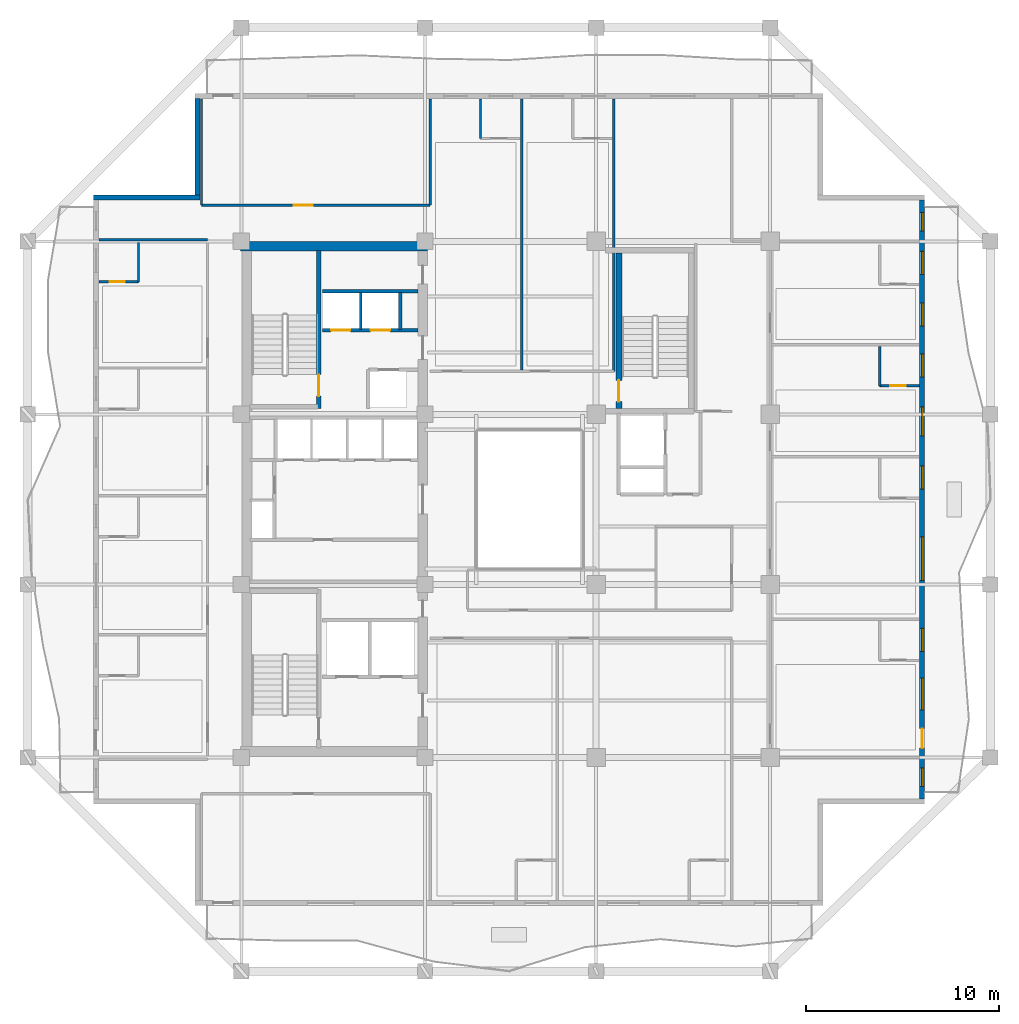
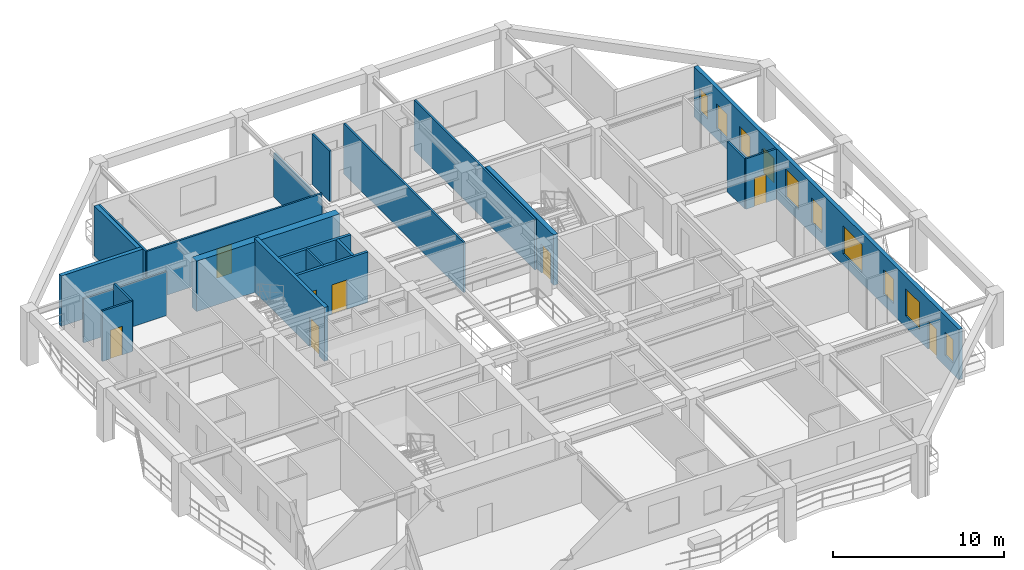
# One storey, part 6 of 13: 21 walls, 10 windows, 8 doors, 18 openings.
"""IFC4 building model written with IfcOpenShell, lengths in metres."""

from ifc_helpers import new_model, si_unit, direction, frame, frame_2d, origin, place, context, subcontext, project, spatial, rectangle, extrude, material, layer, layer_set, type_object, element, fill, save


model = new_model("IFC4")

# Units and contexts
model_context = context("Model", 3, precision=1e-05, world=origin(), true_north=direction((0.0, 1.0)))
body_context = subcontext(model_context, "Body", "Model", "MODEL_VIEW")
ifc_project = project(units=[si_unit("LENGTHUNIT", "METRE"), si_unit("AREAUNIT", "SQUARE_METRE"), si_unit("VOLUMEUNIT", "CUBIC_METRE"), si_unit("PLANEANGLEUNIT", "RADIAN"), si_unit("MASSUNIT", "GRAM", prefix="KILO")], contexts=[model_context])

# Site, building, storey
site_placement = place(None, origin())
site = spatial("IfcSite", under=ifc_project, at=site_placement, CompositionType="ELEMENT")
building_placement = place(site_placement, origin())
building = spatial("IfcBuilding", under=site, at=building_placement, Name="Kundavana Baori Tower", CompositionType="ELEMENT")
storey_placement = place(building_placement, frame((0.0, 0.0, 161.75)))
storey = spatial("IfcBuildingStorey", under=building, at=storey_placement, Name="L39", CompositionType="ELEMENT", Elevation=161.75)

# Wall, opening, door
ifc_material_1 = material(Name="Concrete C50/60", Category="concrete")
ifc_layer_1 = layer(ifc_material_1, 0.39990234375, Name="WL-CORE-400")
ifc_layer_set_1 = layer_set([ifc_layer_1], Name="Concrete C50/60")
wall_type_1 = type_object("IfcWallType", Name="WL-CORE-400", PredefinedType="SHEAR", material=ifc_layer_set_1)
wall_1_placement = place(storey_placement, frame((19.4599609375, 33.300048828125, 0.0), z_axis=(0.0, 0.0, 1.0), x_axis=(0.0, 1.0, 0.0)))
wall_1 = element("IfcWall", 1, at=wall_1_placement, inside=storey, type_object=wall_type_1, Name="WL-L39-ST2-E", PredefinedType="SHEAR", context=body_context, shape_type="SweptSolid", body=[
    extrude(rectangle(XDim=8.179931640625, YDim=0.239990234375, at=frame_2d((4.08984375, 0.0))), origin(), (0.0, 0.0, 1.0), 3.85009765625),
])
opening_1_placement = place(wall_1_placement, frame((0.64990234375, 0.0, 0.0)))
opening_1 = element("IfcOpeningElement", 2, at=opening_1_placement, cuts=wall_1, Name="Opening FD-110", PredefinedType="OPENING", context=body_context, shape_type="SweptSolid", body=[
    extrude(rectangle(XDim=1.10009765625, YDim=2.10009765625, at=frame_2d((0.550048828125, 1.050048828125))), frame((0.0, 0.1298828125, 0.0), z_axis=(0.0, -1.0, 0.0), x_axis=(1.0, 0.0, 0.0)), (0.0, 0.0, 1.0), 0.260009765625),
])
ifc_material_2 = material(Name="Galvanised Steel Fire-Rated Door Leaf", Category="steel")
door_type_1 = type_object("IfcDoorType", Name="DR-FD120-1100", OperationType="NOTDEFINED", PredefinedType="DOOR", material=ifc_material_2)
door_1_placement = place(opening_1_placement, origin())
door_1 = element("IfcDoor", 3, at=door_1_placement, inside=storey, type_object=door_type_1, Name="DR-L39-ST2", OperationType="SINGLE_SWING_RIGHT", OverallHeight=2.10009765625, OverallWidth=1.10009765625, PredefinedType="DOOR", context=body_context, shape_type="SweptSolid", body=[
    extrude(rectangle(XDim=1.10009765625, YDim=2.10009765625, at=frame_2d((0.550048828125, 1.050048828125))), frame((0.0, 0.02490234375, 0.0), z_axis=(0.0, -1.0, 0.0), x_axis=(1.0, 0.0, 0.0)), (0.0, 0.0, 1.0), 0.050048828125),
])
fill(opening_1, door_1)

# Wall
ifc_material_3 = material(Name="Concrete C50/60", Category="concrete")
ifc_layer_2 = layer(ifc_material_3, 0.5, Name="WL-CORE-500")
ifc_layer_set_2 = layer_set([ifc_layer_2], Name="Concrete C50/60")
wall_type_2 = type_object("IfcWallType", Name="WL-CORE-500", PredefinedType="SHEAR", material=ifc_layer_set_2)
wall_2_placement = place(storey_placement, frame((15.39990234375, 41.68994140625, 0.0), z_axis=(0.0, 0.0, 1.0), x_axis=(1.0, 0.0, 0.0)))
element("IfcWall", 4, at=wall_2_placement, inside=storey, type_object=wall_type_2, Name="L39 Offset Core North Shear Wall", PredefinedType="SHEAR", context=body_context, shape_type="SweptSolid", body=[
    extrude(rectangle(XDim=9.68017578125, YDim=0.5, at=frame_2d((4.840087890625, 0.0))), origin(), (0.0, 0.0, 1.0), 3.60009765625),
])

# Wall, openings, door, windows
ifc_material_4 = material(Name="Kiln-Fired Terracotta Brick-Slip Masonry on Concrete C40/50", Category="masonry")
ifc_layer_3 = layer(ifc_material_4, 0.260009765625, Name="WL-EXT-BRK-260")
ifc_layer_set_3 = layer_set([ifc_layer_3], Name="Kiln-Fired Terracotta Brick-Slip Masonry on Concrete C40/50")
wall_type_3 = type_object("IfcWallType", Name="WL-EXT-BRK-260", PredefinedType="SOLIDWALL", material=ifc_layer_set_3)
wall_3_placement = place(storey_placement, frame((50.669921875, 13.110107421875, 0.0), z_axis=(0.0, 0.0, 1.0), x_axis=(0.0, 1.0, 0.0)))
wall_3 = element("IfcWall", 5, at=wall_3_placement, inside=storey, type_object=wall_type_3, Name="L39 Exterior Insulated Facade Wall 04", PredefinedType="SOLIDWALL", context=body_context, shape_type="SweptSolid", body=[
    extrude(rectangle(XDim=30.97998046875, YDim=0.260009765625, at=frame_2d((15.489990234375, 0.0))), origin(), (0.0, 0.0, 1.0), 3.60009765625),
])
opening_2_placement = place(wall_3_placement, frame((0.64990234375, 0.0, 0.800048828125)))
opening_2 = element("IfcOpeningElement", 6, at=opening_2_placement, cuts=wall_3, Name="Opening W-13", PredefinedType="OPENING", context=body_context, shape_type="SweptSolid", body=[
    extrude(rectangle(XDim=0.949951171875, YDim=1.64990234375, at=frame_2d((0.47509765625, 0.824951171875))), frame((0.0, 0.14013671875, 0.0), z_axis=(0.0, -1.0, 0.0), x_axis=(1.0, 0.0, 0.0)), (0.0, 0.0, 1.0), 0.280029296875),
])
opening_3_placement = place(wall_3_placement, frame((2.6298828125, 0.0, 0.0)))
opening_3 = element("IfcOpeningElement", 7, at=opening_3_placement, cuts=wall_3, Name="Opening BD-1", PredefinedType="OPENING", context=body_context, shape_type="SweptSolid", body=[
    extrude(rectangle(XDim=1.0, YDim=2.050048828125, at=frame_2d((0.5, 1.02490234375))), frame((0.0, 0.14013671875, 0.0), z_axis=(0.0, -1.0, 0.0), x_axis=(1.0, 0.0, 0.0)), (0.0, 0.0, 1.0), 0.280029296875),
])
opening_4_placement = place(wall_3_placement, frame((4.60009765625, 0.0, 0.800048828125)))
opening_4 = element("IfcOpeningElement", 8, at=opening_4_placement, cuts=wall_3, Name="Opening W-08", PredefinedType="OPENING", context=body_context, shape_type="SweptSolid", body=[
    extrude(rectangle(XDim=1.64990234375, YDim=1.949951171875, at=frame_2d((0.824951171875, 0.97509765625))), frame((0.0, 0.14013671875, 0.0), z_axis=(0.0, -1.0, 0.0), x_axis=(1.0, 0.0, 0.0)), (0.0, 0.0, 1.0), 0.280029296875),
])
opening_5_placement = place(wall_3_placement, frame((7.625, 0.0, 0.800048828125)))
opening_5 = element("IfcOpeningElement", 9, at=opening_5_placement, cuts=wall_3, Name="Opening W-03", PredefinedType="OPENING", context=body_context, shape_type="SweptSolid", body=[
    extrude(rectangle(XDim=1.199951171875, YDim=1.75, at=frame_2d((0.60009765625, 0.875))), frame((0.0, 0.14013671875, 0.0), z_axis=(0.0, -1.0, 0.0), x_axis=(1.0, 0.0, 0.0)), (0.0, 0.0, 1.0), 0.280029296875),
])
opening_6_placement = place(wall_3_placement, frame((11.300048828125, 0.0, 0.800048828125)))
opening_6 = element("IfcOpeningElement", 10, at=opening_6_placement, cuts=wall_3, Name="Opening W-10", PredefinedType="OPENING", context=body_context, shape_type="SweptSolid", body=[
    extrude(rectangle(XDim=2.25, YDim=2.0, at=frame_2d((1.125, 1.0))), frame((0.0, 0.14013671875, 0.0), z_axis=(0.0, -1.0, 0.0), x_axis=(1.0, 0.0, 0.0)), (0.0, 0.0, 1.0), 0.280029296875),
])
opening_7_placement = place(wall_3_placement, frame((16.02490234375, 0.0, 0.800048828125)))
opening_7 = element("IfcOpeningElement", 11, at=opening_7_placement, cuts=wall_3, Name="Opening W-03", PredefinedType="OPENING", context=body_context, shape_type="SweptSolid", body=[
    extrude(rectangle(XDim=1.199951171875, YDim=1.75, at=frame_2d((0.60009765625, 0.875))), frame((0.0, 0.14013671875, 0.0), z_axis=(0.0, -1.0, 0.0), x_axis=(1.0, 0.0, 0.0)), (0.0, 0.0, 1.0), 0.280029296875),
])
opening_8_placement = place(wall_3_placement, frame((18.77490234375, 0.0, 0.800048828125)))
opening_8 = element("IfcOpeningElement", 12, at=opening_8_placement, cuts=wall_3, Name="Opening W-02", PredefinedType="OPENING", context=body_context, shape_type="SweptSolid", body=[
    extrude(rectangle(XDim=1.5, YDim=2.0, at=frame_2d((0.75, 1.0))), frame((0.0, 0.14013671875, 0.0), z_axis=(0.0, -1.0, 0.0), x_axis=(1.0, 0.0, 0.0)), (0.0, 0.0, 1.0), 0.280029296875),
])
opening_9_placement = place(wall_3_placement, frame((21.824951171875, 0.0, 0.800048828125)))
opening_9 = element("IfcOpeningElement", 13, at=opening_9_placement, cuts=wall_3, Name="Opening W-03", PredefinedType="OPENING", context=body_context, shape_type="SweptSolid", body=[
    extrude(rectangle(XDim=1.199951171875, YDim=1.75, at=frame_2d((0.60009765625, 0.875))), frame((0.0, 0.14013671875, 0.0), z_axis=(0.0, -1.0, 0.0), x_axis=(1.0, 0.0, 0.0)), (0.0, 0.0, 1.0), 0.280029296875),
])
opening_10_placement = place(wall_3_placement, frame((24.449951171875, 0.0, 0.800048828125)))
opening_10 = element("IfcOpeningElement", 14, at=opening_10_placement, cuts=wall_3, Name="Opening W-03", PredefinedType="OPENING", context=body_context, shape_type="SweptSolid", body=[
    extrude(rectangle(XDim=1.199951171875, YDim=1.75, at=frame_2d((0.60009765625, 0.875))), frame((0.0, 0.14013671875, 0.0), z_axis=(0.0, -1.0, 0.0), x_axis=(1.0, 0.0, 0.0)), (0.0, 0.0, 1.0), 0.280029296875),
])
opening_11_placement = place(wall_3_placement, frame((27.125, 0.0, 0.800048828125)))
opening_11 = element("IfcOpeningElement", 15, at=opening_11_placement, cuts=wall_3, Name="Opening W-03", PredefinedType="OPENING", context=body_context, shape_type="SweptSolid", body=[
    extrude(rectangle(XDim=1.199951171875, YDim=1.75, at=frame_2d((0.60009765625, 0.875))), frame((0.0, 0.14013671875, 0.0), z_axis=(0.0, -1.0, 0.0), x_axis=(1.0, 0.0, 0.0)), (0.0, 0.0, 1.0), 0.280029296875),
])
opening_12_placement = place(wall_3_placement, frame((29.3798828125, 0.0, 0.800048828125)))
opening_12 = element("IfcOpeningElement", 16, at=opening_12_placement, cuts=wall_3, Name="Opening W-13", PredefinedType="OPENING", context=body_context, shape_type="SweptSolid", body=[
    extrude(rectangle(XDim=0.949951171875, YDim=1.64990234375, at=frame_2d((0.47509765625, 0.824951171875))), frame((0.0, 0.14013671875, 0.0), z_axis=(0.0, -1.0, 0.0), x_axis=(1.0, 0.0, 0.0)), (0.0, 0.0, 1.0), 0.280029296875),
])
ifc_material_5 = material(Name="Architectural Patinated Bronze Metalwork")
door_type_2 = type_object("IfcDoorType", Name="DR-EXT-LOG-1000", OperationType="NOTDEFINED", PredefinedType="DOOR", material=ifc_material_5)
door_2_placement = place(opening_3_placement, frame((1.0, 0.0, 0.0), z_axis=(0.0, 0.0, 1.0), x_axis=(-1.0, 0.0, 0.0)))
door_2 = element("IfcDoor", 17, at=door_2_placement, inside=storey, type_object=door_type_2, Name="L39 Loggia Balcony Access Door E", OperationType="SINGLE_SWING_LEFT", OverallHeight=2.050048828125, OverallWidth=1.0, PredefinedType="DOOR", context=body_context, shape_type="SweptSolid", body=[
    extrude(rectangle(XDim=1.0, YDim=2.050048828125, at=frame_2d((0.5, 1.02490234375))), frame((0.0, 0.02490234375, 0.0), z_axis=(0.0, -1.0, 0.0), x_axis=(1.0, 0.0, 0.0)), (0.0, 0.0, 1.0), 0.050048828125),
])
fill(opening_3, door_2)
ifc_material_6 = material(Name="Double-Glazed Solar-Control Low-E Insulated Glass", Category="glass")
window_type_1 = type_object("IfcWindowType", Name="WIN-LOG-1200x1750", PartitioningType="SINGLE_PANEL", PredefinedType="WINDOW", material=ifc_material_6)
window_1_placement = place(opening_5_placement, origin())
window_1 = element("IfcWindow", 18, at=window_1_placement, inside=storey, type_object=window_type_1, Name="L39 Recessed Loggia Window E-3", OverallHeight=1.75, OverallWidth=1.199951171875, PartitioningType="SINGLE_PANEL", PredefinedType="WINDOW", context=body_context, shape_type="SweptSolid", body=[
    extrude(rectangle(XDim=1.199951171875, YDim=1.75, at=frame_2d((0.60009765625, 0.875))), frame((0.0, 0.030029296875, 0.0), z_axis=(0.0, -1.0, 0.0), x_axis=(1.0, 0.0, 0.0)), (0.0, 0.0, 1.0), 0.06005859375),
])
fill(opening_5, window_1)
window_2_placement = place(opening_7_placement, origin())
window_2 = element("IfcWindow", 19, at=window_2_placement, inside=storey, type_object=window_type_1, Name="L39 Recessed Loggia Window E-5", OverallHeight=1.75, OverallWidth=1.199951171875, PartitioningType="SINGLE_PANEL", PredefinedType="WINDOW", context=body_context, shape_type="SweptSolid", body=[
    extrude(rectangle(XDim=1.199951171875, YDim=1.75, at=frame_2d((0.60009765625, 0.875))), frame((0.0, 0.030029296875, 0.0), z_axis=(0.0, -1.0, 0.0), x_axis=(1.0, 0.0, 0.0)), (0.0, 0.0, 1.0), 0.06005859375),
])
fill(opening_7, window_2)
window_3_placement = place(opening_9_placement, origin())
window_3 = element("IfcWindow", 20, at=window_3_placement, inside=storey, type_object=window_type_1, Name="L39 Recessed Loggia Window E-7", OverallHeight=1.75, OverallWidth=1.199951171875, PartitioningType="SINGLE_PANEL", PredefinedType="WINDOW", context=body_context, shape_type="SweptSolid", body=[
    extrude(rectangle(XDim=1.199951171875, YDim=1.75, at=frame_2d((0.60009765625, 0.875))), frame((0.0, 0.030029296875, 0.0), z_axis=(0.0, -1.0, 0.0), x_axis=(1.0, 0.0, 0.0)), (0.0, 0.0, 1.0), 0.06005859375),
])
fill(opening_9, window_3)
window_4_placement = place(opening_10_placement, origin())
window_4 = element("IfcWindow", 21, at=window_4_placement, inside=storey, type_object=window_type_1, Name="L39 Recessed Loggia Window E-8", OverallHeight=1.75, OverallWidth=1.199951171875, PartitioningType="SINGLE_PANEL", PredefinedType="WINDOW", context=body_context, shape_type="SweptSolid", body=[
    extrude(rectangle(XDim=1.199951171875, YDim=1.75, at=frame_2d((0.60009765625, 0.875))), frame((0.0, 0.030029296875, 0.0), z_axis=(0.0, -1.0, 0.0), x_axis=(1.0, 0.0, 0.0)), (0.0, 0.0, 1.0), 0.06005859375),
])
fill(opening_10, window_4)
window_5_placement = place(opening_11_placement, origin())
window_5 = element("IfcWindow", 22, at=window_5_placement, inside=storey, type_object=window_type_1, Name="L39 Recessed Loggia Window E-9", OverallHeight=1.75, OverallWidth=1.199951171875, PartitioningType="SINGLE_PANEL", PredefinedType="WINDOW", context=body_context, shape_type="SweptSolid", body=[
    extrude(rectangle(XDim=1.199951171875, YDim=1.75, at=frame_2d((0.60009765625, 0.875))), frame((0.0, 0.030029296875, 0.0), z_axis=(0.0, -1.0, 0.0), x_axis=(1.0, 0.0, 0.0)), (0.0, 0.0, 1.0), 0.06005859375),
])
fill(opening_11, window_5)
ifc_material_7 = material(Name="Double-Glazed Solar-Control Low-E Insulated Glass", Category="glass")
window_type_2 = type_object("IfcWindowType", Name="WIN-LOG-1500x2000", PartitioningType="SINGLE_PANEL", PredefinedType="WINDOW", material=ifc_material_7)
window_6_placement = place(opening_8_placement, origin())
window_6 = element("IfcWindow", 23, at=window_6_placement, inside=storey, type_object=window_type_2, Name="L39 Recessed Loggia Window E-6", OverallHeight=2.0, OverallWidth=1.5, PartitioningType="SINGLE_PANEL", PredefinedType="WINDOW", context=body_context, shape_type="SweptSolid", body=[
    extrude(rectangle(XDim=1.5, YDim=2.0, at=frame_2d((0.75, 1.0))), frame((0.0, 0.030029296875, 0.0), z_axis=(0.0, -1.0, 0.0), x_axis=(1.0, 0.0, 0.0)), (0.0, 0.0, 1.0), 0.06005859375),
])
fill(opening_8, window_6)
ifc_material_8 = material(Name="Double-Glazed Solar-Control Low-E Insulated Glass", Category="glass")
window_type_3 = type_object("IfcWindowType", Name="WIN-LOG-1650x1950", PartitioningType="SINGLE_PANEL", PredefinedType="WINDOW", material=ifc_material_8)
window_7_placement = place(opening_4_placement, origin())
window_7 = element("IfcWindow", 24, at=window_7_placement, inside=storey, type_object=window_type_3, Name="L39 Recessed Loggia Window E-2", OverallHeight=1.949951171875, OverallWidth=1.64990234375, PartitioningType="SINGLE_PANEL", PredefinedType="WINDOW", context=body_context, shape_type="SweptSolid", body=[
    extrude(rectangle(XDim=1.64990234375, YDim=1.949951171875, at=frame_2d((0.824951171875, 0.97509765625))), frame((0.0, 0.030029296875, 0.0), z_axis=(0.0, -1.0, 0.0), x_axis=(1.0, 0.0, 0.0)), (0.0, 0.0, 1.0), 0.06005859375),
])
fill(opening_4, window_7)
ifc_material_9 = material(Name="Double-Glazed Solar-Control Low-E Insulated Glass", Category="glass")
window_type_4 = type_object("IfcWindowType", Name="WIN-LOG-2250x2000", PartitioningType="SINGLE_PANEL", PredefinedType="WINDOW", material=ifc_material_9)
window_8_placement = place(opening_6_placement, origin())
window_8 = element("IfcWindow", 25, at=window_8_placement, inside=storey, type_object=window_type_4, Name="L39 Recessed Loggia Window E-4", OverallHeight=2.0, OverallWidth=2.25, PartitioningType="SINGLE_PANEL", PredefinedType="WINDOW", context=body_context, shape_type="SweptSolid", body=[
    extrude(rectangle(XDim=2.25, YDim=2.0, at=frame_2d((1.125, 1.0))), frame((0.0, 0.030029296875, 0.0), z_axis=(0.0, -1.0, 0.0), x_axis=(1.0, 0.0, 0.0)), (0.0, 0.0, 1.0), 0.06005859375),
])
fill(opening_6, window_8)
ifc_material_10 = material(Name="Double-Glazed Solar-Control Low-E Insulated Glass", Category="glass")
window_type_5 = type_object("IfcWindowType", Name="WIN-LOG-950x1650", PartitioningType="SINGLE_PANEL", PredefinedType="WINDOW", material=ifc_material_10)
window_9_placement = place(opening_2_placement, origin())
window_9 = element("IfcWindow", 26, at=window_9_placement, inside=storey, type_object=window_type_5, Name="L39 Recessed Loggia Window E-1", OverallHeight=1.64990234375, OverallWidth=0.949951171875, PartitioningType="SINGLE_PANEL", PredefinedType="WINDOW", context=body_context, shape_type="SweptSolid", body=[
    extrude(rectangle(XDim=0.949951171875, YDim=1.64990234375, at=frame_2d((0.47509765625, 0.824951171875))), frame((0.0, 0.030029296875, 0.0), z_axis=(0.0, -1.0, 0.0), x_axis=(1.0, 0.0, 0.0)), (0.0, 0.0, 1.0), 0.06005859375),
])
fill(opening_2, window_9)
window_10_placement = place(opening_12_placement, origin())
window_10 = element("IfcWindow", 27, at=window_10_placement, inside=storey, type_object=window_type_5, Name="L39 Recessed Loggia Window E-10", OverallHeight=1.64990234375, OverallWidth=0.949951171875, PartitioningType="SINGLE_PANEL", PredefinedType="WINDOW", context=body_context, shape_type="SweptSolid", body=[
    extrude(rectangle(XDim=0.949951171875, YDim=1.64990234375, at=frame_2d((0.47509765625, 0.824951171875))), frame((0.0, 0.030029296875, 0.0), z_axis=(0.0, -1.0, 0.0), x_axis=(1.0, 0.0, 0.0)), (0.0, 0.0, 1.0), 0.06005859375),
])
fill(opening_12, window_10)

# Walls
wall_4_placement = place(storey_placement, frame((13.179931640625, 49.340087890625, 0.0), z_axis=(0.0, 0.0, 1.0), x_axis=(0.0, -1.0, 0.0)))
element("IfcWall", 28, at=wall_4_placement, inside=storey, type_object=wall_type_3, Name="L39 Exterior Insulated Facade Wall 08", PredefinedType="SOLIDWALL", context=body_context, shape_type="SweptSolid", body=[
    extrude(rectangle(XDim=4.989990234375, YDim=0.260009765625, at=frame_2d((2.4951171875, 0.0))), origin(), (0.0, 0.0, 1.0), 3.60009765625),
])
wall_5_placement = place(storey_placement, frame((13.31005859375, 44.219970703125, 0.0), z_axis=(0.0, 0.0, 1.0), x_axis=(-1.0, 0.0, 0.0)))
element("IfcWall", 29, at=wall_5_placement, inside=storey, type_object=wall_type_3, Name="L39 Exterior Insulated Facade Wall 09", PredefinedType="SOLIDWALL", context=body_context, shape_type="SweptSolid", body=[
    extrude(rectangle(XDim=5.510009765625, YDim=0.260009765625, at=frame_2d((2.7548828125, 0.0))), origin(), (0.0, 0.0, 1.0), 3.60009765625),
])
ifc_material_11 = material(Name="Acoustic Gypsum Plasterboard on Galvanised Steel Studs", Category="steel")
ifc_layer_4 = layer(ifc_material_11, 0.1201171875, Name="WL-PART-120")
ifc_layer_set_4 = layer_set([ifc_layer_4], Name="Acoustic Gypsum Plasterboard on Galvanised Steel Studs")
wall_type_4 = type_object("IfcWallType", Name="WL-PART-120", PredefinedType="PARTITIONING", material=ifc_layer_set_4)
wall_6_placement = place(storey_placement, frame((21.6201171875, 37.39990234375, 0.0), z_axis=(0.0, 0.0, 1.0), x_axis=(0.0, 1.0, 0.0)))
element("IfcWall", 30, at=wall_6_placement, inside=storey, type_object=wall_type_4, Name="WL-L39-HR-DIV1", PredefinedType="PARTITIONING", context=body_context, shape_type="SweptSolid", body=[
    extrude(rectangle(XDim=1.900146484375, YDim=0.1201171875, at=frame_2d((0.9501953125, 0.0))), origin(), (0.0, 0.0, 1.0), 3.60009765625),
])

# Wall, openings, doors
ifc_material_12 = material(Name="Autoclaved Aerated Concrete Blockwork Masonry", Category="masonry")
ifc_layer_5 = layer(ifc_material_12, 0.179931640625, Name="WL-SHAFT-180")
ifc_layer_set_5 = layer_set([ifc_layer_5], Name="Autoclaved Aerated Concrete Blockwork Masonry")
wall_type_5 = type_object("IfcWallType", Name="WL-SHAFT-180", PredefinedType="SOLIDWALL", material=ifc_layer_set_5)
wall_7_placement = place(storey_placement, frame((19.639892578125, 37.340087890625, 0.0), z_axis=(0.0, 0.0, 1.0), x_axis=(1.0, 0.0, 0.0)))
wall_7 = element("IfcWall", 31, at=wall_7_placement, inside=storey, type_object=wall_type_5, Name="WL-L39-HRLOB-N", PredefinedType="SOLIDWALL", context=body_context, shape_type="SweptSolid", body=[
    extrude(rectangle(XDim=4.940185546875, YDim=0.179931640625, at=frame_2d((2.47021484375, 0.0))), origin(), (0.0, 0.0, 1.0), 3.60009765625),
])
opening_13_placement = place(wall_7_placement, frame((0.449951171875, 0.0, 0.0)))
opening_13 = element("IfcOpeningElement", 32, at=opening_13_placement, cuts=wall_7, Name="Opening LD-100", PredefinedType="OPENING", context=body_context, shape_type="SweptSolid", body=[
    extrude(rectangle(XDim=1.0, YDim=2.10009765625, at=frame_2d((0.5, 1.050048828125))), frame((0.0, 0.10009765625, 0.0), z_axis=(0.0, -1.0, 0.0), x_axis=(1.0, 0.0, 0.0)), (0.0, 0.0, 1.0), 0.199951171875),
])
opening_14_placement = place(wall_7_placement, frame((2.5, 0.0, 0.0)))
opening_14 = element("IfcOpeningElement", 33, at=opening_14_placement, cuts=wall_7, Name="Opening LD-100", PredefinedType="OPENING", context=body_context, shape_type="SweptSolid", body=[
    extrude(rectangle(XDim=1.0, YDim=2.10009765625, at=frame_2d((0.5, 1.050048828125))), frame((0.0, 0.10009765625, 0.0), z_axis=(0.0, -1.0, 0.0), x_axis=(1.0, 0.0, 0.0)), (0.0, 0.0, 1.0), 0.199951171875),
])
ifc_material_13 = material(Name="Galvanised Steel Fire-Rated Door Leaf", Category="steel")
door_type_3 = type_object("IfcDoorType", Name="DR-SLIDE-LD1000", OperationType="NOTDEFINED", PredefinedType="DOOR", material=ifc_material_13)
door_3_placement = place(opening_13_placement, frame((1.0, 0.0, 0.0), z_axis=(0.0, 0.0, 1.0), x_axis=(-1.0, 0.0, 0.0)))
door_3 = element("IfcDoor", 34, at=door_3_placement, inside=storey, type_object=door_type_3, Name="DR-L39-LD-LP09", OperationType="DOUBLE_DOOR_SLIDING", OverallHeight=2.10009765625, OverallWidth=1.0, PredefinedType="DOOR", context=body_context, shape_type="SweptSolid", body=[
    extrude(rectangle(XDim=1.0, YDim=2.10009765625, at=frame_2d((0.5, 1.050048828125))), frame((0.0, 0.02490234375, 0.0), z_axis=(0.0, -1.0, 0.0), x_axis=(1.0, 0.0, 0.0)), (0.0, 0.0, 1.0), 0.050048828125),
])
fill(opening_13, door_3)
door_4_placement = place(opening_14_placement, frame((1.0, 0.0, 0.0), z_axis=(0.0, 0.0, 1.0), x_axis=(-1.0, 0.0, 0.0)))
door_4 = element("IfcDoor", 35, at=door_4_placement, inside=storey, type_object=door_type_3, Name="DR-L39-LD-LP10", OperationType="DOUBLE_DOOR_SLIDING", OverallHeight=2.10009765625, OverallWidth=1.0, PredefinedType="DOOR", context=body_context, shape_type="SweptSolid", body=[
    extrude(rectangle(XDim=1.0, YDim=2.10009765625, at=frame_2d((0.5, 1.050048828125))), frame((0.0, 0.02490234375, 0.0), z_axis=(0.0, -1.0, 0.0), x_axis=(1.0, 0.0, 0.0)), (0.0, 0.0, 1.0), 0.050048828125),
])
fill(opening_14, door_4)

# Walls
wall_8_placement = place(storey_placement, frame((19.639892578125, 39.360107421875, 0.0), z_axis=(0.0, 0.0, 1.0), x_axis=(1.0, 0.0, 0.0)))
element("IfcWall", 36, at=wall_8_placement, inside=storey, type_object=wall_type_5, Name="WL-L39-HRLOB-TOP", PredefinedType="SOLIDWALL", context=body_context, shape_type="SweptSolid", body=[
    extrude(rectangle(XDim=4.940185546875, YDim=0.179931640625, at=frame_2d((2.47021484375, 0.0))), origin(), (0.0, 0.0, 1.0), 3.60009765625),
])
wall_9_placement = place(storey_placement, frame((23.659912109375, 37.39990234375, 0.0), z_axis=(0.0, 0.0, 1.0), x_axis=(0.0, 1.0, 0.0)))
element("IfcWall", 37, at=wall_9_placement, inside=storey, type_object=wall_type_5, Name="WL-L39-HR-DIV2", PredefinedType="SOLIDWALL", context=body_context, shape_type="SweptSolid", body=[
    extrude(rectangle(XDim=1.900146484375, YDim=0.179931640625, at=frame_2d((0.9501953125, 0.0))), origin(), (0.0, 0.0, 1.0), 3.60009765625),
])

# Wall, opening, door
ifc_material_14 = material(Name="Concrete C50/60", Category="concrete")
ifc_layer_6 = layer(ifc_material_14, 0.300048828125, Name="WL-ST3-300")
ifc_layer_set_6 = layer_set([ifc_layer_6], Name="Concrete C50/60")
wall_type_6 = type_object("IfcWallType", Name="WL-ST3-300", PredefinedType="SHEAR", material=ifc_layer_set_6)
wall_10_placement = place(storey_placement, frame((34.97998046875, 33.31005859375, 0.0), z_axis=(0.0, 0.0, 1.0), x_axis=(0.0, 1.0, 0.0)))
wall_10 = element("IfcWall", 38, at=wall_10_placement, inside=storey, type_object=wall_type_6, Name="L39 Stair ST3 West Shear Wall", PredefinedType="SHEAR", context=body_context, shape_type="SweptSolid", body=[
    extrude(rectangle(XDim=8.030029296875, YDim=0.300048828125, at=frame_2d((4.01513671875, 0.0))), origin(), (0.0, 0.0, 1.0), 3.60009765625),
])
opening_15_placement = place(wall_10_placement, frame((0.35009765625, 0.0, 0.0)))
opening_15 = element("IfcOpeningElement", 39, at=opening_15_placement, cuts=wall_10, Name="Opening FD-110", PredefinedType="OPENING", context=body_context, shape_type="SweptSolid", body=[
    extrude(rectangle(XDim=1.10009765625, YDim=2.10009765625, at=frame_2d((0.550048828125, 1.050048828125))), frame((0.0, 0.16015625, 0.0), z_axis=(0.0, -1.0, 0.0), x_axis=(1.0, 0.0, 0.0)), (0.0, 0.0, 1.0), 0.320068359375),
])
door_5_placement = place(opening_15_placement, origin())
door_5 = element("IfcDoor", 40, at=door_5_placement, inside=storey, type_object=door_type_1, Name="DR-L39-ST3-W", OperationType="SINGLE_SWING_LEFT", OverallHeight=2.10009765625, OverallWidth=1.10009765625, PredefinedType="DOOR", context=body_context, shape_type="SweptSolid", body=[
    extrude(rectangle(XDim=1.10009765625, YDim=2.10009765625, at=frame_2d((0.550048828125, 1.050048828125))), frame((0.0, 0.02490234375, 0.0), z_axis=(0.0, -1.0, 0.0), x_axis=(1.0, 0.0, 0.0)), (0.0, 0.0, 1.0), 0.050048828125),
])
fill(opening_15, door_5)

# Wall
ifc_material_15 = material(Name="Autoclaved Aerated Concrete Blockwork Masonry", Category="masonry")
ifc_layer_7 = layer(ifc_material_15, 0.125, Name="WL-WET-120")
ifc_layer_set_7 = layer_set([ifc_layer_7], Name="Autoclaved Aerated Concrete Blockwork Masonry")
wall_type_7 = type_object("IfcWallType", Name="WL-WET-120", PredefinedType="PLUMBINGWALL", material=ifc_layer_set_7)
wall_11_placement = place(storey_placement, frame((8.080078125, 42.0400390625, 0.0), z_axis=(0.0, 0.0, 1.0), x_axis=(1.0, 0.0, 0.0)))
element("IfcWall", 41, at=wall_11_placement, inside=storey, type_object=wall_type_7, Name="WL-L39-HWN", PredefinedType="PLUMBINGWALL", context=body_context, shape_type="SweptSolid", body=[
    extrude(rectangle(XDim=5.619873046875, YDim=0.125, at=frame_2d((2.81005859375, 0.0))), origin(), (0.0, 0.0, 1.0), 3.14990234375),
])

# Wall, opening, door
wall_12_placement = place(storey_placement, frame((13.389892578125, 43.820068359375, 0.0), z_axis=(0.0, 0.0, 1.0), x_axis=(1.0, 0.0, 0.0)))
wall_12 = element("IfcWall", 42, at=wall_12_placement, inside=storey, type_object=wall_type_7, Name="WL-L39-HNC", PredefinedType="PLUMBINGWALL", context=body_context, shape_type="SweptSolid", body=[
    extrude(rectangle(XDim=11.830078125, YDim=0.125, at=frame_2d((5.9150390625, 0.0))), origin(), (0.0, 0.0, 1.0), 3.60009765625),
])
opening_16_placement = place(wall_12_placement, frame((4.760009765625, 0.0, 0.0)))
opening_16 = element("IfcOpeningElement", 43, at=opening_16_placement, cuts=wall_12, Name="Opening ID-100", PredefinedType="OPENING", context=body_context, shape_type="SweptSolid", body=[
    extrude(rectangle(XDim=1.0, YDim=2.080078125, at=frame_2d((0.5, 1.0400390625))), frame((0.0, 0.072509765625, 0.0), z_axis=(0.0, -1.0, 0.0), x_axis=(1.0, 0.0, 0.0)), (0.0, 0.0, 1.0), 0.14501953125),
])
ifc_material_16 = material(Name="Engineered Teak Solid-Core Timber Veneer", Category="wood")
door_type_4 = type_object("IfcDoorType", Name="DR-INT-1000", OperationType="NOTDEFINED", PredefinedType="DOOR", material=ifc_material_16)
door_6_placement = place(opening_16_placement, origin())
door_6 = element("IfcDoor", 44, at=door_6_placement, inside=storey, type_object=door_type_4, Name="DR-L39-HMNW", OperationType="SINGLE_SWING_RIGHT", OverallHeight=2.080078125, OverallWidth=1.0, PredefinedType="DOOR", context=body_context, shape_type="SweptSolid", body=[
    extrude(rectangle(XDim=1.0, YDim=2.080078125, at=frame_2d((0.5, 1.0400390625))), frame((0.0, 0.02490234375, 0.0), z_axis=(0.0, -1.0, 0.0), x_axis=(1.0, 0.0, 0.0)), (0.0, 0.0, 1.0), 0.050048828125),
])
fill(opening_16, door_6)

# Walls
wall_13_placement = place(storey_placement, frame((13.389892578125, 43.820068359375, 0.0), z_axis=(0.0, 0.0, 1.0), x_axis=(0.0, 1.0, 0.0)))
element("IfcWall", 45, at=wall_13_placement, inside=storey, type_object=wall_type_7, Name="WL-L39-HNCW", PredefinedType="PLUMBINGWALL", context=body_context, shape_type="SweptSolid", body=[
    extrude(rectangle(XDim=5.5, YDim=0.125, at=frame_2d((2.75, 0.0))), origin(), (0.0, 0.0, 1.0), 3.60009765625),
])
wall_14_placement = place(storey_placement, frame((25.219970703125, 43.820068359375, 0.0), z_axis=(0.0, 0.0, 1.0), x_axis=(0.0, 1.0, 0.0)))
element("IfcWall", 46, at=wall_14_placement, inside=storey, type_object=wall_type_7, Name="WL-L39-HNCE", PredefinedType="PLUMBINGWALL", context=body_context, shape_type="SweptSolid", body=[
    extrude(rectangle(XDim=5.5, YDim=0.125, at=frame_2d((2.75, 0.0))), origin(), (0.0, 0.0, 1.0), 3.14990234375),
])
wall_15_placement = place(storey_placement, frame((10.1298828125, 39.85009765625, 0.0), z_axis=(0.0, 0.0, 1.0), x_axis=(0.0, 1.0, 0.0)))
element("IfcWall", 47, at=wall_15_placement, inside=storey, type_object=wall_type_7, Name="WL-L39-HK-W4-BE", PredefinedType="PLUMBINGWALL", context=body_context, shape_type="SweptSolid", body=[
    extrude(rectangle(XDim=2.0498046875, YDim=0.125, at=frame_2d((1.02490234375, 0.0))), origin(), (0.0, 0.0, 1.0), 3.60009765625),
])

# Wall, opening, door
wall_16_placement = place(storey_placement, frame((8.080078125, 39.85009765625, 0.0), z_axis=(0.0, 0.0, 1.0), x_axis=(1.0, 0.0, 0.0)))
wall_16 = element("IfcWall", 48, at=wall_16_placement, inside=storey, type_object=wall_type_7, Name="WL-L39-HK-W4-BS", PredefinedType="PLUMBINGWALL", context=body_context, shape_type="SweptSolid", body=[
    extrude(rectangle(XDim=2.0498046875, YDim=0.125, at=frame_2d((1.02490234375, 0.0))), origin(), (0.0, 0.0, 1.0), 3.60009765625),
])
opening_17_placement = place(wall_16_placement, frame((0.550048828125, 0.0, 0.0)))
opening_17 = element("IfcOpeningElement", 49, at=opening_17_placement, cuts=wall_16, Name="Opening WD-080", PredefinedType="OPENING", context=body_context, shape_type="SweptSolid", body=[
    extrude(rectangle(XDim=0.800048828125, YDim=2.050048828125, at=frame_2d((0.39990234375, 1.02490234375))), frame((0.0, 0.072509765625, 0.0), z_axis=(0.0, -1.0, 0.0), x_axis=(1.0, 0.0, 0.0)), (0.0, 0.0, 1.0), 0.14501953125),
])
ifc_material_17 = material(Name="Engineered Teak Solid-Core Timber Veneer", Category="wood")
door_type_5 = type_object("IfcDoorType", Name="DR-WET-800", OperationType="NOTDEFINED", PredefinedType="DOOR", material=ifc_material_17)
door_7_placement = place(opening_17_placement, frame((0.800048828125, 0.0, 0.0), z_axis=(0.0, 0.0, 1.0), x_axis=(-1.0, 0.0, 0.0)))
door_7 = element("IfcDoor", 50, at=door_7_placement, inside=storey, type_object=door_type_5, Name="DR-L39-HK-W4-ENS", OperationType="SINGLE_SWING_LEFT", OverallHeight=2.050048828125, OverallWidth=0.800048828125, PredefinedType="DOOR", context=body_context, shape_type="SweptSolid", body=[
    extrude(rectangle(XDim=0.800048828125, YDim=2.050048828125, at=frame_2d((0.39990234375, 1.02490234375))), frame((0.0, 0.02490234375, 0.0), z_axis=(0.0, -1.0, 0.0), x_axis=(1.0, 0.0, 0.0)), (0.0, 0.0, 1.0), 0.050048828125),
])
fill(opening_17, door_7)

# Wall
wall_17_placement = place(storey_placement, frame((48.469970703125, 34.469970703125, 0.0), z_axis=(0.0, 0.0, 1.0), x_axis=(0.0, 1.0, 0.0)))
element("IfcWall", 51, at=wall_17_placement, inside=storey, type_object=wall_type_7, Name="WL-L39-HK-E3-BW", PredefinedType="PLUMBINGWALL", context=body_context, shape_type="SweptSolid", body=[
    extrude(rectangle(XDim=2.050048828125, YDim=0.125, at=frame_2d((1.02490234375, 0.0))), origin(), (0.0, 0.0, 1.0), 3.60009765625),
])

# Wall, opening, door
wall_18_placement = place(storey_placement, frame((48.469970703125, 34.469970703125, 0.0), z_axis=(0.0, 0.0, 1.0), x_axis=(1.0, 0.0, 0.0)))
wall_18 = element("IfcWall", 52, at=wall_18_placement, inside=storey, type_object=wall_type_7, Name="WL-L39-HK-E3-BS", PredefinedType="PLUMBINGWALL", context=body_context, shape_type="SweptSolid", body=[
    extrude(rectangle(XDim=2.050048828125, YDim=0.125, at=frame_2d((1.02490234375, 0.0))), origin(), (0.0, 0.0, 1.0), 3.60009765625),
])
opening_18_placement = place(wall_18_placement, frame((0.550048828125, 0.0, 0.0)))
opening_18 = element("IfcOpeningElement", 53, at=opening_18_placement, cuts=wall_18, Name="Opening WD-080", PredefinedType="OPENING", context=body_context, shape_type="SweptSolid", body=[
    extrude(rectangle(XDim=0.800048828125, YDim=2.050048828125, at=frame_2d((0.39990234375, 1.02490234375))), frame((0.0, 0.072509765625, 0.0), z_axis=(0.0, -1.0, 0.0), x_axis=(1.0, 0.0, 0.0)), (0.0, 0.0, 1.0), 0.14501953125),
])
door_8_placement = place(opening_18_placement, frame((0.800048828125, 0.0, 0.0), z_axis=(0.0, 0.0, 1.0), x_axis=(-1.0, 0.0, 0.0)))
door_8 = element("IfcDoor", 54, at=door_8_placement, inside=storey, type_object=door_type_5, Name="DR-L39-HK-E3-ENS", OperationType="SINGLE_SWING_LEFT", OverallHeight=2.050048828125, OverallWidth=0.800048828125, PredefinedType="DOOR", context=body_context, shape_type="SweptSolid", body=[
    extrude(rectangle(XDim=0.800048828125, YDim=2.050048828125, at=frame_2d((0.39990234375, 1.02490234375))), frame((0.0, 0.02490234375, 0.0), z_axis=(0.0, -1.0, 0.0), x_axis=(1.0, 0.0, 0.0)), (0.0, 0.0, 1.0), 0.050048828125),
])
fill(opening_18, door_8)

# Walls
wall_19_placement = place(storey_placement, frame((34.719970703125, 35.219970703125, 0.0), z_axis=(0.0, 0.0, 1.0), x_axis=(0.0, 1.0, 0.0)))
element("IfcWall", 55, at=wall_19_placement, inside=storey, type_object=wall_type_7, Name="WL-L39-HNEND", PredefinedType="PLUMBINGWALL", context=body_context, shape_type="SweptSolid", body=[
    extrude(rectangle(XDim=14.10009765625, YDim=0.125, at=frame_2d((7.050048828125, 0.0))), origin(), (0.0, 0.0, 1.0), 3.60009765625),
])
wall_20_placement = place(storey_placement, frame((29.949951171875, 35.300048828125, 0.0), z_axis=(0.0, 0.0, 1.0), x_axis=(0.0, 1.0, 0.0)))
element("IfcWall", 56, at=wall_20_placement, inside=storey, type_object=wall_type_7, Name="WL-L39-HND1", PredefinedType="PLUMBINGWALL", context=body_context, shape_type="SweptSolid", body=[
    extrude(rectangle(XDim=14.02001953125, YDim=0.125, at=frame_2d((7.010009765625, 0.0))), origin(), (0.0, 0.0, 1.0), 3.60009765625),
])
wall_21_placement = place(storey_placement, frame((27.820068359375, 47.27001953125, 0.0), z_axis=(0.0, 0.0, 1.0), x_axis=(0.0, 1.0, 0.0)))
element("IfcWall", 57, at=wall_21_placement, inside=storey, type_object=wall_type_7, Name="WL-L39-HK-N1-BW", PredefinedType="PLUMBINGWALL", context=body_context, shape_type="SweptSolid", body=[
    extrude(rectangle(XDim=2.050048828125, YDim=0.125, at=frame_2d((1.02490234375, 0.0))), origin(), (0.0, 0.0, 1.0), 3.60009765625),
])

save(model, "model.ifc")
